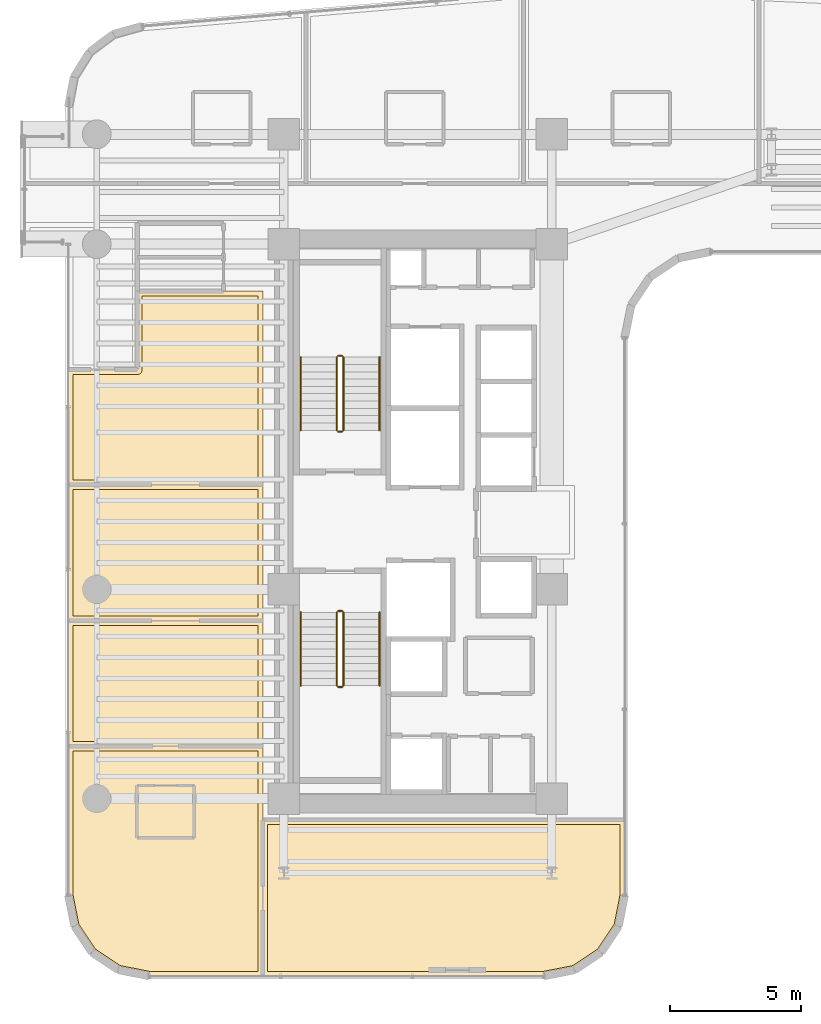
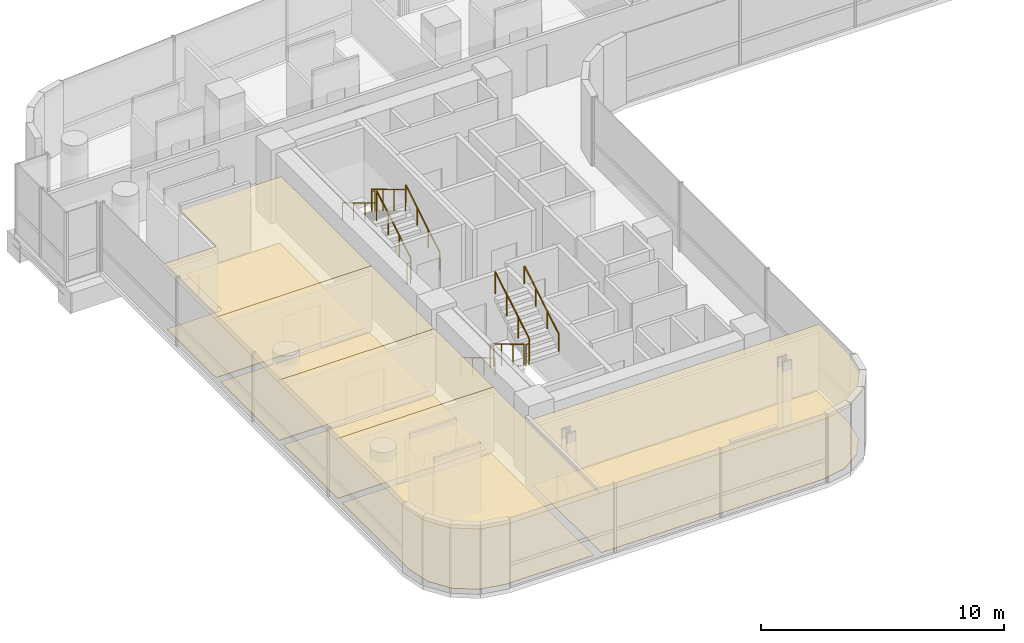
# One storey, part 32 of 35: 12 railings, 10 coverings.
"""IFC4 building model written with IfcOpenShell, lengths in metres."""

from ifc_helpers import new_model, si_unit, direction, frame, origin, origin_2d, place, context, subcontext, project, spatial, polyline, circle, outline, extrude, material, layer, layer_set, type_object, element, save


model = new_model("IFC4")

# Units and contexts
model_context = context("Model", 3, precision=1e-05, world=origin(), true_north=direction((0.0, 1.0)))
body_context = subcontext(model_context, "Body", "Model", "MODEL_VIEW")
ifc_project = project(units=[si_unit("LENGTHUNIT", "METRE"), si_unit("AREAUNIT", "SQUARE_METRE"), si_unit("VOLUMEUNIT", "CUBIC_METRE"), si_unit("PLANEANGLEUNIT", "RADIAN"), si_unit("MASSUNIT", "GRAM", prefix="KILO")], contexts=[model_context])

# Site, building, storey
site_placement = place(None, origin())
site = spatial("IfcSite", under=ifc_project, at=site_placement, CompositionType="ELEMENT")
building_placement = place(site_placement, origin())
building = spatial("IfcBuilding", under=site, at=building_placement, Name="Valdorenza Pilgrim Sanctuary Tower", CompositionType="ELEMENT")
storey_placement = place(building_placement, frame((0.0, 0.0, 116.800048828125)))
storey = spatial("IfcBuildingStorey", under=building, at=storey_placement, Name="L29", CompositionType="ELEMENT", Elevation=116.800048828125)

# Coverings
ifc_material_1 = material(Name="Micro-perforated acoustic mineral ceiling tile", Category="gypsum")
ifc_layer_1 = layer(ifc_material_1, 0.02490234375, Name="Micro-perforated acoustic mineral ceiling tile")
ifc_layer_set_1 = layer_set([ifc_layer_1], Name="Micro-perforated acoustic mineral ceiling tile")
covering_type_1 = type_object("IfcCoveringType", Name="COV-CLG-ACU", PredefinedType="CEILING", material=ifc_layer_set_1)
covering_1_placement = place(storey_placement, frame((0.0, 0.0, 3.159912109375)))
element("IfcCovering", 1, at=covering_1_placement, inside=storey, type_object=covering_type_1, Name="L29 Pilgrim Guest Room L29-CS1 Acoustic Ceiling", PredefinedType="CEILING", context=body_context, shape_type="SweptSolid", body=[
    extrude(outline(polyline([(-23.449951171875, -8.5849609375), (-23.448486328125, -8.585205078125), (-23.447021484375, -8.585205078125), (-23.445556640625, -8.585693359375), (-23.4443359375, -8.586181640625), (-23.44287109375, -8.5869140625), (-23.441650390625, -8.58740234375), (-23.4404296875, -8.58837890625), (-23.439453125, -8.58935546875), (-23.4384765625, -8.590576171875), (-23.4375, -8.591796875), (-23.436767578125, -8.593017578125), (-23.43603515625, -8.59423828125), (-23.435546875, -8.595703125), (-23.435302734375, -8.59716796875), (-23.43505859375, -8.598388671875), (-23.43505859375, -8.60009765625), (-23.43505859375, -17.389892578125), (-23.43505859375, -17.3916015625), (-23.435302734375, -17.392822265625), (-23.435546875, -17.394287109375), (-23.43603515625, -17.395751953125), (-23.436767578125, -17.397216796875), (-23.4375, -17.398193359375), (-23.4384765625, -17.3994140625), (-23.439453125, -17.400634765625), (-23.4404296875, -17.401611328125), (-23.441650390625, -17.402587890625), (-23.44287109375, -17.4033203125), (-23.4443359375, -17.40380859375), (-23.445556640625, -17.404296875), (-23.447021484375, -17.40478515625), (-23.448486328125, -17.40478515625), (-23.449951171875, -17.405029296875), (-27.789306640625, -17.405029296875), (-27.79052734375, -17.40478515625), (-27.7919921875, -17.40478515625), (-28.984619140625, -17.16748046875), (-28.986083984375, -17.1669921875), (-28.9873046875, -17.16650390625), (-28.98876953125, -17.166015625), (-28.989990234375, -17.165283203125), (-29.99169921875, -16.495849609375), (-29.992919921875, -16.4951171875), (-29.993896484375, -16.493896484375), (-29.9951171875, -16.492919921875), (-29.995849609375, -16.49169921875), (-30.665283203125, -15.489990234375), (-30.666015625, -15.48876953125), (-30.66650390625, -15.4873046875), (-30.6669921875, -15.486083984375), (-30.66748046875, -15.484619140625), (-30.90478515625, -14.2919921875), (-30.90478515625, -14.29052734375), (-30.905029296875, -14.289306640625), (-30.905029296875, -8.60009765625), (-30.90478515625, -8.598388671875), (-30.90478515625, -8.59716796875), (-30.904296875, -8.595703125), (-30.90380859375, -8.59423828125), (-30.9033203125, -8.593017578125), (-30.902587890625, -8.591796875), (-30.901611328125, -8.590576171875), (-30.900634765625, -8.58935546875), (-30.8994140625, -8.58837890625), (-30.898193359375, -8.58740234375), (-30.897216796875, -8.5869140625), (-30.895751953125, -8.586181640625), (-30.894287109375, -8.585693359375), (-30.892822265625, -8.585205078125), (-30.8916015625, -8.585205078125), (-30.889892578125, -8.5849609375), (-23.449951171875, -8.5849609375)])), origin(), (0.0, 0.0, 1.0), 0.025146484375),
])
covering_2_placement = place(storey_placement, frame((0.0, 0.0, 3.159912109375)))
element("IfcCovering", 2, at=covering_2_placement, inside=storey, type_object=covering_type_1, Name="L29 South Contemplation Salon L29 Acoustic Ceiling", PredefinedType="CEILING", context=body_context, shape_type="SweptSolid", body=[
    extrude(outline(polyline([(-23.43505859375, -8.597900390625), (-23.43505859375, -8.599609375), (-23.435302734375, -8.600830078125), (-23.435546875, -8.602294921875), (-23.43603515625, -8.603759765625), (-23.436767578125, -8.60498046875), (-23.4375, -8.606201171875), (-23.4384765625, -8.607421875), (-23.439453125, -8.608642578125), (-23.4404296875, -8.609619140625), (-23.441650390625, -8.610595703125), (-23.44287109375, -8.611083984375), (-23.4443359375, -8.61181640625), (-23.445556640625, -8.6123046875), (-23.447021484375, -8.61279296875), (-23.448486328125, -8.61279296875), (-23.449951171875, -8.613037109375), (-30.889892578125, -8.613037109375), (-30.8916015625, -8.61279296875), (-30.892822265625, -8.61279296875), (-30.894287109375, -8.6123046875), (-30.895751953125, -8.61181640625), (-30.897216796875, -8.611083984375), (-30.898193359375, -8.610595703125), (-30.8994140625, -8.609619140625), (-30.900634765625, -8.608642578125), (-30.901611328125, -8.607421875), (-30.902587890625, -8.606201171875), (-30.9033203125, -8.60498046875), (-30.90380859375, -8.603759765625), (-30.904296875, -8.602294921875), (-30.90478515625, -8.600830078125), (-30.90478515625, -8.599609375), (-30.905029296875, -8.597900390625), (-30.905029296875, -3.800048828125), (-30.90478515625, -3.798583984375), (-30.90478515625, -3.797119140625), (-30.904296875, -3.795654296875), (-30.90380859375, -3.794189453125), (-30.9033203125, -3.79296875), (-30.902587890625, -3.791748046875), (-30.901611328125, -3.79052734375), (-30.900634765625, -3.789306640625), (-30.8994140625, -3.788330078125), (-30.898193359375, -3.78759765625), (-30.897216796875, -3.786865234375), (-30.895751953125, -3.7861328125), (-30.894287109375, -3.78564453125), (-30.892822265625, -3.785400390625), (-30.8916015625, -3.78515625), (-30.889892578125, -3.784912109375), (-23.449951171875, -3.784912109375), (-23.448486328125, -3.78515625), (-23.447021484375, -3.785400390625), (-23.445556640625, -3.78564453125), (-23.4443359375, -3.7861328125), (-23.44287109375, -3.786865234375), (-23.441650390625, -3.78759765625), (-23.4404296875, -3.788330078125), (-23.439453125, -3.789306640625), (-23.4384765625, -3.79052734375), (-23.4375, -3.791748046875), (-23.436767578125, -3.79296875), (-23.43603515625, -3.794189453125), (-23.435546875, -3.795654296875), (-23.435302734375, -3.797119140625), (-23.43505859375, -3.798583984375), (-23.43505859375, -3.800048828125), (-23.43505859375, -8.597900390625)])), origin(), (0.0, 0.0, 1.0), 0.025146484375),
])
covering_3_placement = place(storey_placement, frame((0.0, 0.0, 3.159912109375)))
element("IfcCovering", 3, at=covering_3_placement, inside=storey, type_object=covering_type_1, Name="L29 Pilgrim Reading Lounge L29 Acoustic Ceiling", PredefinedType="CEILING", context=body_context, shape_type="SweptSolid", body=[
    extrude(outline(polyline([(-23.43505859375, -3.798095703125), (-23.43505859375, -3.799560546875), (-23.435302734375, -3.80078125), (-23.435546875, -3.802490234375), (-23.43603515625, -3.8037109375), (-23.436767578125, -3.80517578125), (-23.4375, -3.806396484375), (-23.4384765625, -3.8076171875), (-23.439453125, -3.80859375), (-23.4404296875, -3.8095703125), (-23.441650390625, -3.810546875), (-23.44287109375, -3.811279296875), (-23.4443359375, -3.81201171875), (-23.445556640625, -3.8125), (-23.447021484375, -3.812744140625), (-23.448486328125, -3.81298828125), (-23.449951171875, -3.81298828125), (-30.889892578125, -3.81298828125), (-30.8916015625, -3.81298828125), (-30.892822265625, -3.812744140625), (-30.894287109375, -3.8125), (-30.895751953125, -3.81201171875), (-30.897216796875, -3.811279296875), (-30.898193359375, -3.810546875), (-30.8994140625, -3.8095703125), (-30.900634765625, -3.80859375), (-30.901611328125, -3.8076171875), (-30.902587890625, -3.806396484375), (-30.9033203125, -3.80517578125), (-30.90380859375, -3.8037109375), (-30.904296875, -3.802490234375), (-30.90478515625, -3.80078125), (-30.90478515625, -3.799560546875), (-30.905029296875, -3.798095703125), (-30.905029296875, 1.39990234375), (-30.90478515625, 1.401611328125), (-30.90478515625, 1.40283203125), (-30.904296875, 1.404296875), (-30.90380859375, 1.40576171875), (-30.9033203125, 1.406982421875), (-30.902587890625, 1.408203125), (-30.901611328125, 1.409423828125), (-30.900634765625, 1.41064453125), (-30.8994140625, 1.41162109375), (-30.898193359375, 1.41259765625), (-30.897216796875, 1.4130859375), (-30.895751953125, 1.413818359375), (-30.894287109375, 1.414306640625), (-30.892822265625, 1.414794921875), (-30.8916015625, 1.414794921875), (-30.889892578125, 1.4150390625), (-23.449951171875, 1.4150390625), (-23.448486328125, 1.414794921875), (-23.447021484375, 1.414794921875), (-23.445556640625, 1.414306640625), (-23.4443359375, 1.413818359375), (-23.44287109375, 1.4130859375), (-23.441650390625, 1.41259765625), (-23.4404296875, 1.41162109375), (-23.439453125, 1.41064453125), (-23.4384765625, 1.409423828125), (-23.4375, 1.408203125), (-23.436767578125, 1.406982421875), (-23.43603515625, 1.40576171875), (-23.435546875, 1.404296875), (-23.435302734375, 1.40283203125), (-23.43505859375, 1.401611328125), (-23.43505859375, 1.39990234375), (-23.43505859375, -3.798095703125)])), origin(), (0.0, 0.0, 1.0), 0.025146484375),
])
covering_4_placement = place(storey_placement, frame((0.0, 0.0, 3.159912109375)))
element("IfcCovering", 4, at=covering_4_placement, inside=storey, type_object=covering_type_1, Name="L29 North Contemplation Salon L29 Acoustic Ceiling", PredefinedType="CEILING", context=body_context, shape_type="SweptSolid", body=[
    extrude(outline(polyline([(-28.262939453125, 5.81298828125), (-28.262939453125, 8.798095703125), (-28.262939453125, 8.799560546875), (-28.2626953125, 8.80078125), (-28.262451171875, 8.802490234375), (-28.261962890625, 8.8037109375), (-28.26123046875, 8.80517578125), (-28.260498046875, 8.806396484375), (-28.259521484375, 8.8076171875), (-28.258544921875, 8.80859375), (-28.257568359375, 8.8095703125), (-28.25634765625, 8.810546875), (-28.255126953125, 8.811279296875), (-28.253662109375, 8.81201171875), (-28.25244140625, 8.8125), (-28.2509765625, 8.812744140625), (-28.24951171875, 8.81298828125), (-28.248046875, 8.81298828125), (-24.955322265625, 8.81298828125), (-24.954833984375, 8.813232421875), (-24.95361328125, 8.81396484375), (-24.9521484375, 8.814453125), (-24.95068359375, 8.814697265625), (-24.949462890625, 8.81494140625), (-24.947998046875, 8.81494140625), (-23.449951171875, 8.81494140625), (-23.448486328125, 8.81494140625), (-23.447021484375, 8.814697265625), (-23.445556640625, 8.814453125), (-23.4443359375, 8.81396484375), (-23.44287109375, 8.813232421875), (-23.441650390625, 8.8125), (-23.4404296875, 8.8115234375), (-23.439453125, 8.810546875), (-23.4384765625, 8.8095703125), (-23.4375, 8.808349609375), (-23.436767578125, 8.80712890625), (-23.43603515625, 8.8056640625), (-23.435546875, 8.804443359375), (-23.435302734375, 8.802978515625), (-23.43505859375, 8.801513671875), (-23.43505859375, 8.800048828125), (-23.43505859375, 1.402099609375), (-23.43505859375, 1.400390625), (-23.435302734375, 1.399169921875), (-23.435546875, 1.397705078125), (-23.43603515625, 1.396240234375), (-23.436767578125, 1.39501953125), (-23.4375, 1.393798828125), (-23.4384765625, 1.392578125), (-23.439453125, 1.391357421875), (-23.4404296875, 1.390380859375), (-23.441650390625, 1.389404296875), (-23.44287109375, 1.388916015625), (-23.4443359375, 1.38818359375), (-23.445556640625, 1.3876953125), (-23.447021484375, 1.38720703125), (-23.448486328125, 1.38720703125), (-23.449951171875, 1.386962890625), (-30.889892578125, 1.386962890625), (-30.8916015625, 1.38720703125), (-30.892822265625, 1.38720703125), (-30.894287109375, 1.3876953125), (-30.895751953125, 1.38818359375), (-30.897216796875, 1.388916015625), (-30.898193359375, 1.389404296875), (-30.8994140625, 1.390380859375), (-30.900634765625, 1.391357421875), (-30.901611328125, 1.392578125), (-30.902587890625, 1.393798828125), (-30.9033203125, 1.39501953125), (-30.90380859375, 1.396240234375), (-30.904296875, 1.397705078125), (-30.90478515625, 1.399169921875), (-30.90478515625, 1.400390625), (-30.905029296875, 1.402099609375), (-30.905029296875, 5.798095703125), (-30.90478515625, 5.799560546875), (-30.90478515625, 5.80078125), (-30.904296875, 5.802490234375), (-30.90380859375, 5.8037109375), (-30.9033203125, 5.80517578125), (-30.902587890625, 5.806396484375), (-30.901611328125, 5.8076171875), (-30.900634765625, 5.80859375), (-30.8994140625, 5.8095703125), (-30.898193359375, 5.810546875), (-30.897216796875, 5.811279296875), (-30.895751953125, 5.81201171875), (-30.894287109375, 5.8125), (-30.892822265625, 5.812744140625), (-30.8916015625, 5.81298828125), (-30.889892578125, 5.81298828125), (-28.262939453125, 5.81298828125)])), origin(), (0.0, 0.0, 1.0), 0.025146484375),
])
covering_5_placement = place(storey_placement, frame((0.0, 0.0, 3.159912109375)))
element("IfcCovering", 5, at=covering_5_placement, inside=storey, type_object=covering_type_1, Name="L29 South Panoramic Viewing Salon L29 Acoustic Ceiling", PredefinedType="CEILING", context=body_context, shape_type="SweptSolid", body=[
    extrude(outline(polyline([(-9.610107421875, -11.405029296875), (-9.6083984375, -11.405029296875), (-9.607177734375, -11.4052734375), (-9.605712890625, -11.405517578125), (-9.604248046875, -11.406005859375), (-9.602783203125, -11.40673828125), (-9.601806640625, -11.407470703125), (-9.6005859375, -11.408447265625), (-9.599365234375, -11.409423828125), (-9.598388671875, -11.410400390625), (-9.597412109375, -11.41162109375), (-9.5966796875, -11.412841796875), (-9.59619140625, -11.414306640625), (-9.595703125, -11.41552734375), (-9.59521484375, -11.4169921875), (-9.59521484375, -11.41845703125), (-9.594970703125, -11.419921875), (-9.594970703125, -14.289306640625), (-9.59521484375, -14.29052734375), (-9.59521484375, -14.2919921875), (-9.83251953125, -15.484619140625), (-9.8330078125, -15.486083984375), (-9.83349609375, -15.4873046875), (-9.833984375, -15.48876953125), (-9.834716796875, -15.489990234375), (-10.504150390625, -16.49169921875), (-10.5048828125, -16.492919921875), (-10.506103515625, -16.493896484375), (-10.507080078125, -16.4951171875), (-10.50830078125, -16.495849609375), (-11.510009765625, -17.165283203125), (-11.51123046875, -17.166015625), (-11.5126953125, -17.16650390625), (-11.513916015625, -17.1669921875), (-11.515380859375, -17.16748046875), (-12.7080078125, -17.40478515625), (-12.70947265625, -17.40478515625), (-12.710693359375, -17.405029296875), (-23.447998046875, -17.405029296875), (-23.449462890625, -17.40478515625), (-23.450927734375, -17.40478515625), (-23.452392578125, -17.404296875), (-23.45361328125, -17.40380859375), (-23.455078125, -17.4033203125), (-23.456298828125, -17.402587890625), (-23.45751953125, -17.401611328125), (-23.45849609375, -17.400634765625), (-23.459716796875, -17.3994140625), (-23.46044921875, -17.398193359375), (-23.461181640625, -17.397216796875), (-23.4619140625, -17.395751953125), (-23.46240234375, -17.394287109375), (-23.462646484375, -17.392822265625), (-23.462890625, -17.3916015625), (-23.462890625, -17.389892578125), (-23.462890625, -11.419921875), (-23.462890625, -11.41845703125), (-23.462646484375, -11.4169921875), (-23.46240234375, -11.41552734375), (-23.4619140625, -11.414306640625), (-23.461181640625, -11.412841796875), (-23.46044921875, -11.41162109375), (-23.459716796875, -11.410400390625), (-23.45849609375, -11.409423828125), (-23.45751953125, -11.408447265625), (-23.456298828125, -11.407470703125), (-23.455078125, -11.40673828125), (-23.45361328125, -11.406005859375), (-23.452392578125, -11.405517578125), (-23.450927734375, -11.4052734375), (-23.449462890625, -11.405029296875), (-23.447998046875, -11.405029296875), (-9.610107421875, -11.405029296875)])), origin(), (0.0, 0.0, 1.0), 0.025146484375),
])
ifc_material_2 = material(Name="Engineered European oak timber flooring", Category="wood")
ifc_layer_2 = layer(ifc_material_2, 0.02197265625, Name="Engineered European oak timber flooring")
ifc_layer_set_2 = layer_set([ifc_layer_2], Name="Engineered European oak timber flooring")
covering_type_2 = type_object("IfcCoveringType", Name="COV-FLR-OAK", PredefinedType="FLOORING", material=ifc_layer_set_2)
covering_6_placement = place(storey_placement, origin())
element("IfcCovering", 6, at=covering_6_placement, inside=storey, type_object=covering_type_2, Name="L29 Pilgrim Guest Room L29-CS1 Flooring", PredefinedType="FLOORING", context=body_context, shape_type="SweptSolid", body=[
    extrude(outline(polyline([(-23.6298828125, -8.780029296875), (-23.6298828125, -17.2099609375), (-27.771484375, -17.2099609375), (-28.911376953125, -16.983154296875), (-29.853515625, -16.353515625), (-30.483154296875, -15.411376953125), (-30.7099609375, -14.271484375), (-30.7099609375, -8.780029296875), (-23.6298828125, -8.780029296875)])), origin(), (0.0, 0.0, 1.0), 0.02490234375),
])
ifc_material_3 = material(Name="Honed travertine stone flooring", Category="masonry")
ifc_layer_3 = layer(ifc_material_3, 0.030029296875, Name="Honed travertine stone flooring")
ifc_layer_set_3 = layer_set([ifc_layer_3], Name="Honed travertine stone flooring")
covering_type_3 = type_object("IfcCoveringType", Name="COV-FLR-TRV", PredefinedType="FLOORING", material=ifc_layer_set_3)
covering_7_placement = place(storey_placement, origin())
element("IfcCovering", 7, at=covering_7_placement, inside=storey, type_object=covering_type_3, Name="L29 South Contemplation Salon L29 Flooring", PredefinedType="FLOORING", context=body_context, shape_type="SweptSolid", body=[
    extrude(outline(polyline([(-23.6298828125, -8.41796875), (-30.7099609375, -8.41796875), (-30.7099609375, -3.97998046875), (-23.6298828125, -3.97998046875), (-23.6298828125, -8.41796875)])), origin(), (0.0, 0.0, 1.0), 0.02490234375),
])
covering_8_placement = place(storey_placement, origin())
element("IfcCovering", 8, at=covering_8_placement, inside=storey, type_object=covering_type_3, Name="L29 Pilgrim Reading Lounge L29 Flooring", PredefinedType="FLOORING", context=body_context, shape_type="SweptSolid", body=[
    extrude(outline(polyline([(-23.6298828125, -3.617919921875), (-30.7099609375, -3.617919921875), (-30.7099609375, 1.219970703125), (-23.6298828125, 1.219970703125), (-23.6298828125, -3.617919921875)])), origin(), (0.0, 0.0, 1.0), 0.02490234375),
])
covering_9_placement = place(storey_placement, origin())
element("IfcCovering", 9, at=covering_9_placement, inside=storey, type_object=covering_type_3, Name="L29 North Contemplation Salon L29 Flooring", PredefinedType="FLOORING", context=body_context, shape_type="SweptSolid", body=[
    extrude(outline(polyline([(-23.6298828125, 8.619873046875), (-23.6298828125, 1.58203125), (-30.7099609375, 1.58203125), (-30.7099609375, 5.617919921875), (-28.25, 5.617919921875), (-28.2412109375, 5.6181640625), (-28.240966796875, 5.6181640625), (-28.223388671875, 5.6201171875), (-28.22314453125, 5.6201171875), (-28.205810546875, 5.623291015625), (-28.205810546875, 5.62353515625), (-28.188720703125, 5.628662109375), (-28.188720703125, 5.628662109375), (-28.17236328125, 5.635498046875), (-28.172119140625, 5.635498046875), (-28.156494140625, 5.643798828125), (-28.156494140625, 5.643798828125), (-28.1416015625, 5.65380859375), (-28.1416015625, 5.65380859375), (-28.1279296875, 5.6650390625), (-28.127685546875, 5.665283203125), (-28.115234375, 5.677734375), (-28.114990234375, 5.677978515625), (-28.10400390625, 5.69140625), (-28.103759765625, 5.691650390625), (-28.093994140625, 5.706298828125), (-28.09375, 5.70654296875), (-28.08544921875, 5.72216796875), (-28.08544921875, 5.722412109375), (-28.07861328125, 5.738525390625), (-28.07861328125, 5.73876953125), (-28.073486328125, 5.755615234375), (-28.073486328125, 5.755859375), (-28.070068359375, 5.773193359375), (-28.070068359375, 5.7734375), (-28.068115234375, 5.791015625), (-28.068115234375, 5.791259765625), (-28.068115234375, 5.800048828125), (-28.068115234375, 8.617919921875), (-24.949951171875, 8.617919921875), (-24.94970703125, 8.617919921875), (-23.6298828125, 8.619873046875)])), origin(), (0.0, 0.0, 1.0), 0.02490234375),
])
covering_10_placement = place(storey_placement, origin())
element("IfcCovering", 10, at=covering_10_placement, inside=storey, type_object=covering_type_3, Name="L29 South Panoramic Viewing Salon L29 Flooring", PredefinedType="FLOORING", context=body_context, shape_type="SweptSolid", body=[
    extrude(outline(polyline([(-9.7900390625, -11.60009765625), (-9.7900390625, -14.271484375), (-10.016845703125, -15.411376953125), (-10.646484375, -16.353515625), (-11.588623046875, -16.983154296875), (-12.728515625, -17.2099609375), (-23.26806640625, -17.2099609375), (-23.26806640625, -11.60009765625), (-9.7900390625, -11.60009765625)])), origin(), (0.0, 0.0, 1.0), 0.02490234375),
])

# Railings
ifc_material_4 = material(Name="Stainless steel Grade 316", Category="steel")
railing_type_1 = type_object("IfcRailingType", Name="RLG-GRD-1120", PredefinedType="GUARDRAIL", material=ifc_material_4)
railing_1_placement = place(storey_placement, frame((-20.3701171875, 3.47998046875, 0.168212890625)))
element("IfcRailing", 11, at=railing_1_placement, inside=storey, type_object=railing_type_1, Name="L29 ST-A1 stair guard 1", PredefinedType="GUARDRAIL", context=body_context, shape_type="SweptSolid", body=[
    extrude(circle(Radius=0.02392578125, at=origin_2d()), frame((0.0, 0.0, 1.076171875), z_axis=(0.0, 0.857275202839, 0.514858452973), x_axis=(-1.0, 0.0, 0.0)), (0.0, 0.0, 1.0), 3.26611328125),
    extrude(circle(Radius=0.02099609375, at=origin_2d()), origin(), (0.0, 0.0, 1.0), 1.052001953125),
    extrude(circle(Radius=0.02099609375, at=origin_2d()), frame((0.0, 0.933349609375, 0.560546875)), (0.0, 0.0, 1.0), 1.052001953125),
    extrude(circle(Radius=0.02099609375, at=origin_2d()), frame((0.0, 1.86669921875, 1.12109375)), (0.0, 0.0, 1.0), 1.052001953125),
    extrude(circle(Radius=0.02099609375, at=origin_2d()), frame((0.0, 2.800048828125, 1.681640625)), (0.0, 0.0, 1.0), 1.052001953125),
])
railing_2_placement = place(storey_placement, frame((-20.419921875, 6.330078125, 1.849853515625)))
element("IfcRailing", 12, at=railing_2_placement, inside=storey, type_object=railing_type_1, Name="L29 ST-A1 stair guard 2", PredefinedType="GUARDRAIL", context=body_context, shape_type="SweptSolid", body=[
    extrude(circle(Radius=0.02392578125, at=origin_2d()), frame((0.0, 0.0, 1.076171875), z_axis=(-1.0, 0.0, 0.0), x_axis=(0.0, -1.0, 0.0)), (0.0, 0.0, 1.0), 0.150146484375),
    extrude(circle(Radius=0.02099609375, at=origin_2d()), origin(), (0.0, 0.0, 1.0), 1.052001953125),
    extrude(circle(Radius=0.02099609375, at=origin_2d()), frame((-0.150146484375, 0.0, 0.0)), (0.0, 0.0, 1.0), 1.052001953125),
])
railing_3_placement = place(storey_placement, frame((-20.6201171875, 6.280029296875, 2.01806640625)))
element("IfcRailing", 13, at=railing_3_placement, inside=storey, type_object=railing_type_1, Name="L29 ST-A1 stair guard 3", PredefinedType="GUARDRAIL", context=body_context, shape_type="SweptSolid", body=[
    extrude(circle(Radius=0.02392578125, at=origin_2d()), frame((0.0, 0.0, 1.076171875), z_axis=(0.0, -0.857242210791, 0.514913383045), x_axis=(1.0, 0.0, 0.0)), (0.0, 0.0, 1.0), 3.266357421875),
    extrude(circle(Radius=0.02099609375, at=origin_2d()), origin(), (0.0, 0.0, 1.0), 1.052001953125),
    extrude(circle(Radius=0.02099609375, at=origin_2d()), frame((0.0, -0.933349609375, 0.560546875)), (0.0, 0.0, 1.0), 1.052001953125),
    extrude(circle(Radius=0.02099609375, at=origin_2d()), frame((0.0, -1.86669921875, 1.121337890625)), (0.0, 0.0, 1.0), 1.052001953125),
    extrude(circle(Radius=0.02099609375, at=origin_2d()), frame((0.0, -2.800048828125, 1.681884765625)), (0.0, 0.0, 1.0), 1.052001953125),
])
railing_4_placement = place(storey_placement, frame((-20.419921875, 3.429931640625, 0.0)))
element("IfcRailing", 14, at=railing_4_placement, inside=storey, type_object=railing_type_1, Name="L29 ST-A1 stair guard 4", PredefinedType="GUARDRAIL", context=body_context, shape_type="SweptSolid", body=[
    extrude(circle(Radius=0.02392578125, at=origin_2d()), frame((0.0, 0.0, 1.076171875), z_axis=(-1.0, 0.0, 0.0), x_axis=(0.0, -1.0, 0.0)), (0.0, 0.0, 1.0), 0.150146484375),
    extrude(circle(Radius=0.02099609375, at=origin_2d()), origin(), (0.0, 0.0, 1.0), 1.052001953125),
    extrude(circle(Radius=0.02099609375, at=origin_2d()), frame((-0.150146484375, 0.0, 0.0)), (0.0, 0.0, 1.0), 1.052001953125),
])
railing_5_placement = place(storey_placement, frame((-20.6201171875, -3.47998046875, 0.168212890625)))
element("IfcRailing", 15, at=railing_5_placement, inside=storey, type_object=railing_type_1, Name="L29 ST-A2 stair guard 1", PredefinedType="GUARDRAIL", context=body_context, shape_type="SweptSolid", body=[
    extrude(circle(Radius=0.02392578125, at=origin_2d()), frame((0.0, 0.0, 1.076171875), z_axis=(0.0, -0.857275202839, 0.514858452973), x_axis=(1.0, 0.0, 0.0)), (0.0, 0.0, 1.0), 3.26611328125),
    extrude(circle(Radius=0.02099609375, at=origin_2d()), origin(), (0.0, 0.0, 1.0), 1.052001953125),
    extrude(circle(Radius=0.02099609375, at=origin_2d()), frame((0.0, -0.933349609375, 0.560546875)), (0.0, 0.0, 1.0), 1.052001953125),
    extrude(circle(Radius=0.02099609375, at=origin_2d()), frame((0.0, -1.86669921875, 1.12109375)), (0.0, 0.0, 1.0), 1.052001953125),
    extrude(circle(Radius=0.02099609375, at=origin_2d()), frame((0.0, -2.800048828125, 1.681640625)), (0.0, 0.0, 1.0), 1.052001953125),
])
railing_6_placement = place(storey_placement, frame((-20.570068359375, -6.330078125, 1.849853515625)))
element("IfcRailing", 16, at=railing_6_placement, inside=storey, type_object=railing_type_1, Name="L29 ST-A2 stair guard 2", PredefinedType="GUARDRAIL", context=body_context, shape_type="SweptSolid", body=[
    extrude(circle(Radius=0.02392578125, at=origin_2d()), frame((0.0, 0.0, 1.076171875), z_axis=(1.0, 0.0, 0.0), x_axis=(0.0, 1.0, 0.0)), (0.0, 0.0, 1.0), 0.150146484375),
    extrude(circle(Radius=0.02099609375, at=origin_2d()), origin(), (0.0, 0.0, 1.0), 1.052001953125),
    extrude(circle(Radius=0.02099609375, at=origin_2d()), frame((0.150146484375, 0.0, 0.0)), (0.0, 0.0, 1.0), 1.052001953125),
])
railing_7_placement = place(storey_placement, frame((-20.3701171875, -6.280029296875, 2.01806640625)))
element("IfcRailing", 17, at=railing_7_placement, inside=storey, type_object=railing_type_1, Name="L29 ST-A2 stair guard 3", PredefinedType="GUARDRAIL", context=body_context, shape_type="SweptSolid", body=[
    extrude(circle(Radius=0.02392578125, at=origin_2d()), frame((0.0, 0.0, 1.076171875), z_axis=(0.0, 0.857242210791, 0.514913383045), x_axis=(-1.0, 0.0, 0.0)), (0.0, 0.0, 1.0), 3.266357421875),
    extrude(circle(Radius=0.02099609375, at=origin_2d()), origin(), (0.0, 0.0, 1.0), 1.052001953125),
    extrude(circle(Radius=0.02099609375, at=origin_2d()), frame((0.0, 0.933349609375, 0.560546875)), (0.0, 0.0, 1.0), 1.052001953125),
    extrude(circle(Radius=0.02099609375, at=origin_2d()), frame((0.0, 1.86669921875, 1.121337890625)), (0.0, 0.0, 1.0), 1.052001953125),
    extrude(circle(Radius=0.02099609375, at=origin_2d()), frame((0.0, 2.800048828125, 1.681884765625)), (0.0, 0.0, 1.0), 1.052001953125),
])
railing_8_placement = place(storey_placement, frame((-20.570068359375, -3.429931640625, 0.0)))
element("IfcRailing", 18, at=railing_8_placement, inside=storey, type_object=railing_type_1, Name="L29 ST-A2 stair guard 4", PredefinedType="GUARDRAIL", context=body_context, shape_type="SweptSolid", body=[
    extrude(circle(Radius=0.02392578125, at=origin_2d()), frame((0.0, 0.0, 1.076171875), z_axis=(1.0, 0.0, 0.0), x_axis=(0.0, 1.0, 0.0)), (0.0, 0.0, 1.0), 0.150146484375),
    extrude(circle(Radius=0.02099609375, at=origin_2d()), origin(), (0.0, 0.0, 1.0), 1.052001953125),
    extrude(circle(Radius=0.02099609375, at=origin_2d()), frame((0.150146484375, 0.0, 0.0)), (0.0, 0.0, 1.0), 1.052001953125),
])
ifc_material_5 = material(Name="Brushed stainless steel Grade 316", Category="steel")
railing_type_2 = type_object("IfcRailingType", Name="RLG-HND-920", PredefinedType="HANDRAIL", material=ifc_material_5)
railing_9_placement = place(storey_placement, frame((-18.989990234375, 3.47998046875, 0.168212890625)))
element("IfcRailing", 19, at=railing_9_placement, inside=storey, type_object=railing_type_2, Name="L29 ST-A1 stair handrail 1", PredefinedType="HANDRAIL", context=body_context, shape_type="SweptSolid", body=[
    extrude(circle(Radius=0.02392578125, at=origin_2d()), frame((0.0, 0.0, 0.8759765625), z_axis=(0.0, 0.857275202839, 0.514858452973), x_axis=(-1.0, 0.0, 0.0)), (0.0, 0.0, 1.0), 3.26611328125),
    extrude(circle(Radius=0.02099609375, at=origin_2d()), origin(), (0.0, 0.0, 1.0), 0.851806640625),
    extrude(circle(Radius=0.02099609375, at=origin_2d()), frame((0.0, 0.933349609375, 0.560546875)), (0.0, 0.0, 1.0), 0.851806640625),
    extrude(circle(Radius=0.02099609375, at=origin_2d()), frame((0.0, 1.86669921875, 1.12109375)), (0.0, 0.0, 1.0), 0.851806640625),
    extrude(circle(Radius=0.02099609375, at=origin_2d()), frame((0.0, 2.800048828125, 1.681640625)), (0.0, 0.0, 1.0), 0.851806640625),
])
railing_10_placement = place(storey_placement, frame((-22.0, 6.280029296875, 2.01806640625)))
element("IfcRailing", 20, at=railing_10_placement, inside=storey, type_object=railing_type_2, Name="L29 ST-A1 stair handrail 2", PredefinedType="HANDRAIL", context=body_context, shape_type="SweptSolid", body=[
    extrude(circle(Radius=0.02392578125, at=origin_2d()), frame((0.0, 0.0, 0.8759765625), z_axis=(0.0, -0.857242210791, 0.514913383045), x_axis=(1.0, 0.0, 0.0)), (0.0, 0.0, 1.0), 3.266357421875),
    extrude(circle(Radius=0.02099609375, at=origin_2d()), origin(), (0.0, 0.0, 1.0), 0.851806640625),
    extrude(circle(Radius=0.02099609375, at=origin_2d()), frame((0.0, -0.933349609375, 0.560546875)), (0.0, 0.0, 1.0), 0.851806640625),
    extrude(circle(Radius=0.02099609375, at=origin_2d()), frame((0.0, -1.86669921875, 1.121337890625)), (0.0, 0.0, 1.0), 0.851806640625),
    extrude(circle(Radius=0.02099609375, at=origin_2d()), frame((0.0, -2.800048828125, 1.681884765625)), (0.0, 0.0, 1.0), 0.851806640625),
])
railing_11_placement = place(storey_placement, frame((-22.0, -3.47998046875, 0.168212890625)))
element("IfcRailing", 21, at=railing_11_placement, inside=storey, type_object=railing_type_2, Name="L29 ST-A2 stair handrail 1", PredefinedType="HANDRAIL", context=body_context, shape_type="SweptSolid", body=[
    extrude(circle(Radius=0.02392578125, at=origin_2d()), frame((0.0, 0.0, 0.8759765625), z_axis=(0.0, -0.857275202839, 0.514858452973), x_axis=(1.0, 0.0, 0.0)), (0.0, 0.0, 1.0), 3.26611328125),
    extrude(circle(Radius=0.02099609375, at=origin_2d()), origin(), (0.0, 0.0, 1.0), 0.851806640625),
    extrude(circle(Radius=0.02099609375, at=origin_2d()), frame((0.0, -0.933349609375, 0.560546875)), (0.0, 0.0, 1.0), 0.851806640625),
    extrude(circle(Radius=0.02099609375, at=origin_2d()), frame((0.0, -1.86669921875, 1.12109375)), (0.0, 0.0, 1.0), 0.851806640625),
    extrude(circle(Radius=0.02099609375, at=origin_2d()), frame((0.0, -2.800048828125, 1.681640625)), (0.0, 0.0, 1.0), 0.851806640625),
])
railing_12_placement = place(storey_placement, frame((-18.989990234375, -6.280029296875, 2.01806640625)))
element("IfcRailing", 22, at=railing_12_placement, inside=storey, type_object=railing_type_2, Name="L29 ST-A2 stair handrail 2", PredefinedType="HANDRAIL", context=body_context, shape_type="SweptSolid", body=[
    extrude(circle(Radius=0.02392578125, at=origin_2d()), frame((0.0, 0.0, 0.8759765625), z_axis=(0.0, 0.857242210791, 0.514913383045), x_axis=(-1.0, 0.0, 0.0)), (0.0, 0.0, 1.0), 3.266357421875),
    extrude(circle(Radius=0.02099609375, at=origin_2d()), origin(), (0.0, 0.0, 1.0), 0.851806640625),
    extrude(circle(Radius=0.02099609375, at=origin_2d()), frame((0.0, 0.933349609375, 0.560546875)), (0.0, 0.0, 1.0), 0.851806640625),
    extrude(circle(Radius=0.02099609375, at=origin_2d()), frame((0.0, 1.86669921875, 1.121337890625)), (0.0, 0.0, 1.0), 0.851806640625),
    extrude(circle(Radius=0.02099609375, at=origin_2d()), frame((0.0, 2.800048828125, 1.681884765625)), (0.0, 0.0, 1.0), 0.851806640625),
])

save(model, "model.ifc")
